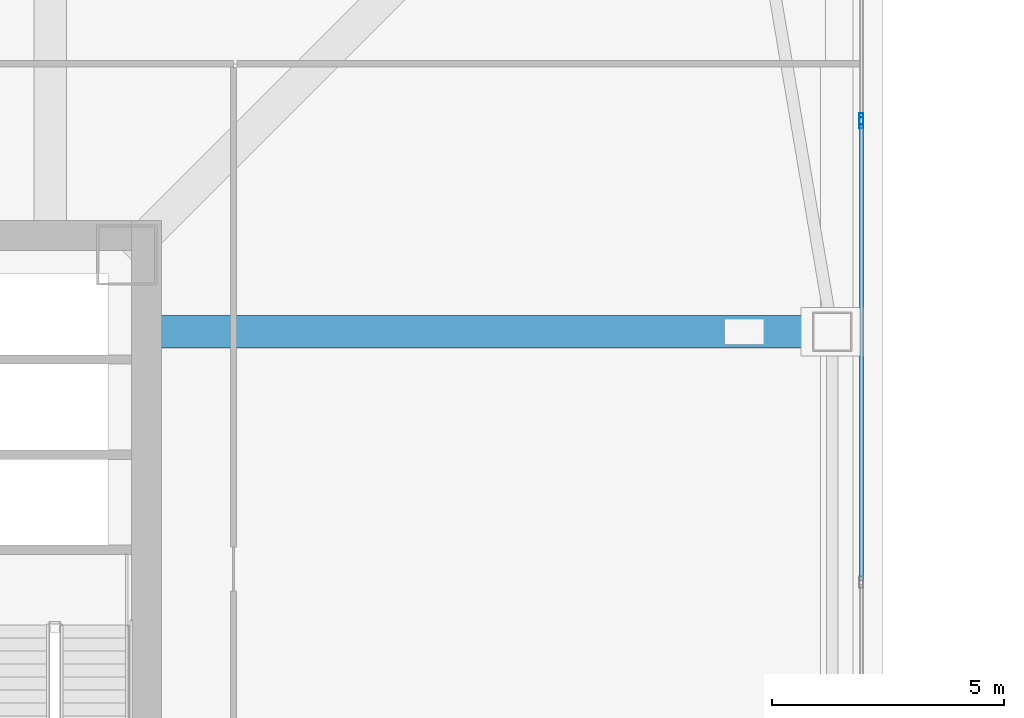
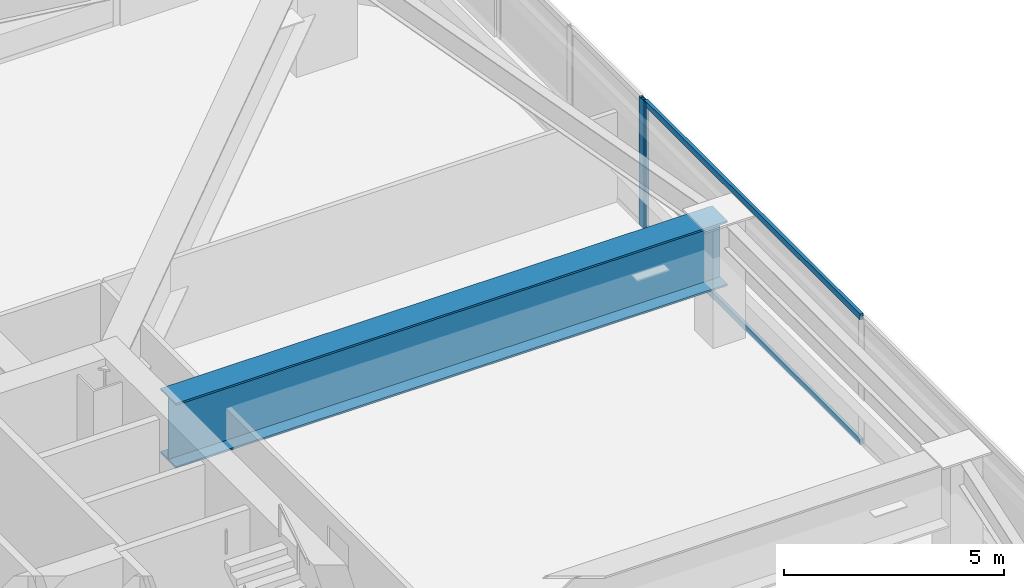
# One storey, part 17 of 48: 4 members, 1 beam, 2 elements without a shape of their own.
"""IFC4 building model written with IfcOpenShell, lengths in metres."""

from ifc_helpers import new_model, si_unit, direction, frame, origin, origin_2d, place, context, subcontext, project, spatial, hollow_rectangle, i_section, extrude, material, material_profile, profile_set, type_object, element, aggregate, save


model = new_model("IFC4")

# Units and contexts
model_context = context("Model", 3, precision=1e-05, world=origin(), true_north=direction((0.0, 1.0)))
body_context = subcontext(model_context, "Body", "Model", "MODEL_VIEW")
ifc_project = project(units=[si_unit("LENGTHUNIT", "METRE"), si_unit("AREAUNIT", "SQUARE_METRE"), si_unit("VOLUMEUNIT", "CUBIC_METRE"), si_unit("PLANEANGLEUNIT", "RADIAN"), si_unit("MASSUNIT", "GRAM", prefix="KILO")], contexts=[model_context])

# Site, building, storey
site_placement = place(None, origin())
site = spatial("IfcSite", under=ifc_project, at=site_placement, CompositionType="ELEMENT")
building_placement = place(site_placement, origin())
building = spatial("IfcBuilding", under=site, at=building_placement, Name="Tashvorn Skyway Center", CompositionType="ELEMENT")
storey_placement = place(building_placement, frame((0.0, 0.0, 63.64990234375)))
storey = spatial("IfcBuildingStorey", under=building, at=storey_placement, Name="L16", CompositionType="ELEMENT", Elevation=63.64990234375)

# Beam
ifc_material_1 = material(Name="Steel ASTM A572 Grade 50", Category="steel")
ifc_material_profile_1 = material_profile(ifc_material_1, i_section(OverallWidth=0.699951171875, OverallDepth=1.800048828125, WebThickness=0.031982421875, FlangeThickness=0.050048828125, at=origin_2d()), Name="PG1800x700")
ifc_profile_set_1 = profile_set([ifc_material_profile_1], Name="Steel ASTM A572 Grade 50")
beam_type = type_object("IfcBeamType", Name="BM-BEAM-PG1800x700", PredefinedType="BEAM", material=ifc_profile_set_1)
beam_placement = place(storey_placement, frame((64.25, 37.39990234375, 2.4501953125), z_axis=(-1.0, 0.0, 0.0), x_axis=(0.0, -1.0, 0.0)))
element("IfcBeam", 1, at=beam_placement, inside=storey, type_object=beam_type, Name="Tower 1 L16 Setback Transfer Girder FC-E2", PredefinedType="BEAM", context=body_context, shape_type="SweptSolid", body=[
    extrude(i_section(OverallWidth=0.699951171875, OverallDepth=1.800048828125, WebThickness=0.031982421875, FlangeThickness=0.050048828125, at=origin_2d()), origin(), (0.0, 0.0, 1.0), 14.469970703125),
])

# Curtain wall, member
ifc_material_2 = material(Name="Thermally broken bronze-anodized aluminium 6063-T6", Category="aluminium")
curtain_wall_type = type_object("IfcCurtainWallType", Name="CW-CW-Z1", PredefinedType="NOTDEFINED", material=ifc_material_2)
curtain_wall_1_placement = place(storey_placement, origin())
curtain_wall_1 = element("IfcCurtainWall", 2, at=curtain_wall_1_placement, inside=storey, type_object=curtain_wall_type, Name="Tower 1 L16 East Unitised Curtain Wall Glazing Group 1", PredefinedType="NOTDEFINED")
ifc_material_profile_2 = material_profile(ifc_material_2, hollow_rectangle(XDim=0.0849609375, YDim=0.239990234375, WallThickness=0.0048828125, at=origin_2d()), Name="ALU-MULL-85x240")
ifc_profile_set_2 = profile_set([ifc_material_profile_2], Name="Thermally broken bronze-anodized aluminium 6063-T6")
member_type_1 = type_object("IfcMemberType", Name="CWM-CW-Z1", PredefinedType="MULLION", material=ifc_profile_set_2)
member_1_placement = place(storey_placement, frame((64.8798828125, 41.982421875, 0.0), z_axis=(0.0, 0.0, 1.0), x_axis=(1.0, 0.0, 0.0)))
member_1 = element("IfcMember", 3, at=member_1_placement, type_object=member_type_1, Name="CW-Z1 mullion 3", PredefinedType="MULLION", context=body_context, shape_type="SweptSolid", body=[
    extrude(hollow_rectangle(XDim=0.0849609375, YDim=0.239990234375, WallThickness=0.0048828125, at=origin_2d()), origin(), (0.0, 0.0, 1.0), 3.550048828125),
])
aggregate(curtain_wall_1, [member_1])

# Curtain wall, members
curtain_wall_2_placement = place(storey_placement, origin())
curtain_wall_2 = element("IfcCurtainWall", 4, at=curtain_wall_2_placement, inside=storey, type_object=curtain_wall_type, Name="Tower 1 L16 East Unitised Curtain Wall Glazing Group 2", PredefinedType="NOTDEFINED")
member_2_placement = place(storey_placement, frame((64.8798828125, 41.8974609375, 0.0), z_axis=(0.0, 0.0, 1.0), x_axis=(1.0, 0.0, 0.0)))
member_2 = element("IfcMember", 5, at=member_2_placement, type_object=member_type_1, Name="CW-Z1 mullion 1", PredefinedType="MULLION", context=body_context, shape_type="SweptSolid", body=[
    extrude(hollow_rectangle(XDim=0.0849609375, YDim=0.239990234375, WallThickness=0.0048828125, at=origin_2d()), origin(), (0.0, 0.0, 1.0), 3.550048828125),
])
ifc_material_profile_3 = material_profile(ifc_material_2, hollow_rectangle(XDim=0.0849609375, YDim=0.1650390625, WallThickness=0.0048828125, at=origin_2d()), Name="ALU-TRAN-85x165")
ifc_profile_set_3 = profile_set([ifc_material_profile_3], Name="Thermally broken bronze-anodized aluminium 6063-T6")
member_type_2 = type_object("IfcMemberType", Name="CWT-CW-Z1", PredefinedType="USERDEFINED", material=ifc_profile_set_3)
member_3_placement = place(storey_placement, frame((64.8798828125, 41.85498046875, 0.04248046875), z_axis=(0.0, -1.0, 0.0), x_axis=(1.0, 0.0, 0.0)))
member_3 = element("IfcMember", 6, at=member_3_placement, type_object=member_type_2, Name="CW-Z1 transom 1.1", ObjectType="TRANSOM", PredefinedType="USERDEFINED", context=body_context, shape_type="SweptSolid", body=[
    extrude(hollow_rectangle(XDim=0.0849609375, YDim=0.1650390625, WallThickness=0.0048828125, at=origin_2d()), origin(), (0.0, 0.0, 1.0), 9.8125),
])
member_4_placement = place(storey_placement, frame((64.8798828125, 41.85498046875, 3.507568359375), z_axis=(0.0, -1.0, 0.0), x_axis=(1.0, 0.0, 0.0)))
member_4 = element("IfcMember", 7, at=member_4_placement, type_object=member_type_2, Name="CW-Z1 transom 1.2", ObjectType="TRANSOM", PredefinedType="USERDEFINED", context=body_context, shape_type="SweptSolid", body=[
    extrude(hollow_rectangle(XDim=0.0849609375, YDim=0.1650390625, WallThickness=0.0048828125, at=origin_2d()), origin(), (0.0, 0.0, 1.0), 9.8125),
])
aggregate(curtain_wall_2, [member_2, member_3, member_4])

save(model, "model.ifc")
